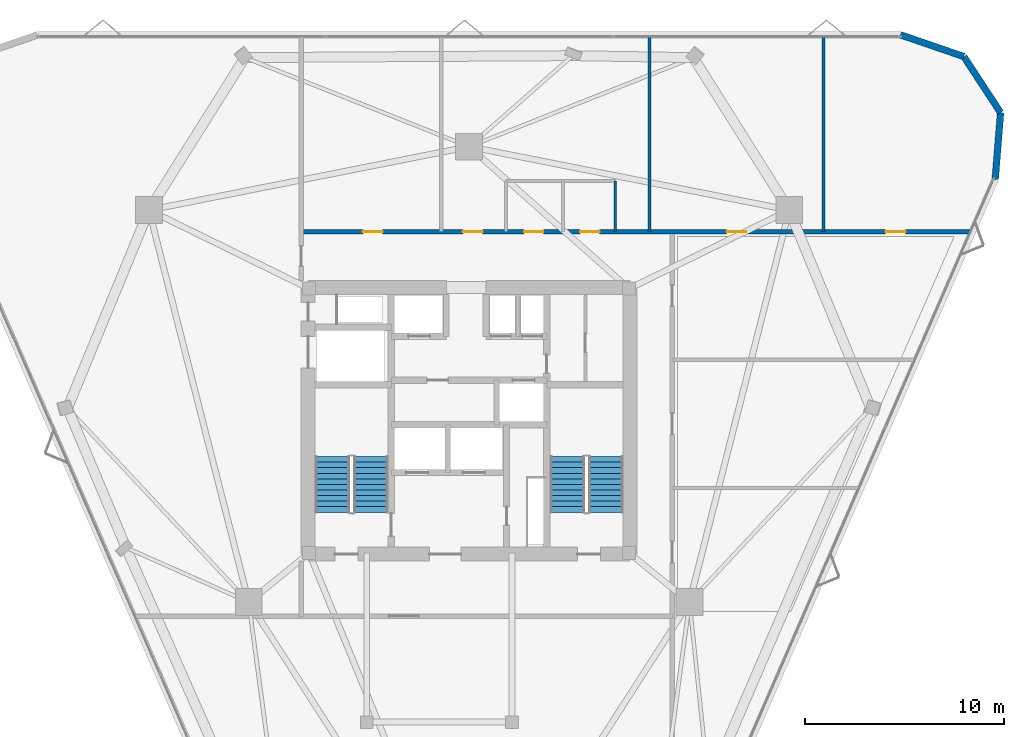
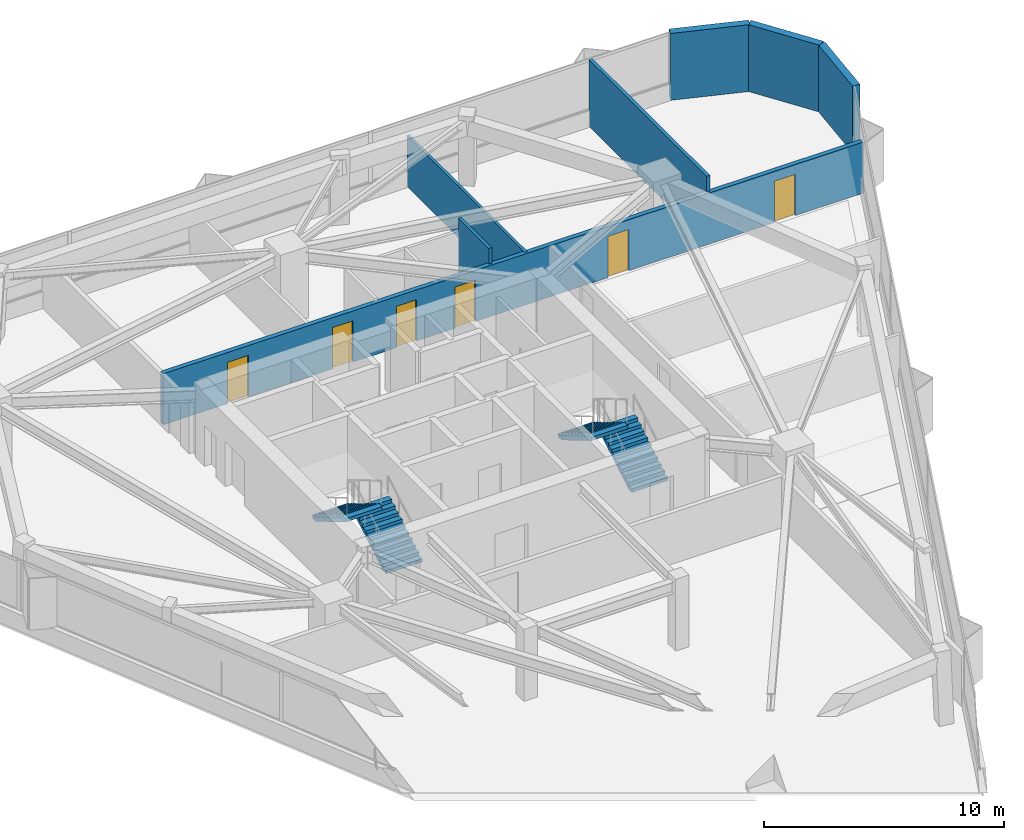
# One storey, part 11 of 12: 7 walls, 6 doors, 4 stair flights, 6 openings, 2 elements without a shape of their own.
"""IFC4 building model written with IfcOpenShell, lengths in metres."""

import ifcopenshell
import ifcopenshell.guid

model = None  # the IFC model being written
_history = None  # IfcOwnerHistory: only IFC2X3 demands one
_inside = {}  # id of a spatial element -> (the spatial element, [elements in it])
_under = {}  # id of a project, library or spatial element -> (it, [spatial elements below it])
_declared = {}  # id of a project -> (the project, [libraries it declares])
_typed = {}  # id of a type object -> (the type object, [elements of that type])
_made_of = {}  # id of a material, layer set ... -> (it, [elements and type objects made of it])


def new_model(schema):
    """Start an empty IFC model of exactly this schema.

    Asked for "IFC4X3", IfcOpenShell would pick the latest addendum, in which some entities
    have other attributes; the version numbers below select the first issue.
    IFC2X3 requires an IfcOwnerHistory on every rooted entity: one is made here for all.
    """
    global model, _history
    if schema == "IFC4X3":
        model = ifcopenshell.file(schema_version=(4, 3, 0, 0))
    else:
        model = ifcopenshell.file(schema=schema)
    _inside.clear()
    _under.clear()
    _declared.clear()
    _typed.clear()
    _made_of.clear()
    _history = None
    if model.schema == "IFC2X3":
        org = make("IfcOrganization", Name="unknown")
        user = make(
            "IfcPersonAndOrganization",
            ThePerson=make("IfcPerson", FamilyName="unknown"),
            TheOrganization=org,
        )
        app = make(
            "IfcApplication",
            ApplicationDeveloper=org,
            Version="unknown",
            ApplicationFullName="unknown",
            ApplicationIdentifier="unknown",
        )
        _history = make(
            "IfcOwnerHistory",
            OwningUser=user,
            OwningApplication=app,
            ChangeAction="ADDED",
            CreationDate=0,
        )
    return model


def make(cls, **values):
    """One entity of the class cls with the attributes given. An attribute that is None is left unset."""
    return model.create_entity(
        cls, **{name: value for name, value in values.items() if value is not None}
    )


def rooted(cls, **values):
    """An entity with a GlobalId (a new one), such as an element, a storey or a relation."""
    return make(cls, GlobalId=ifcopenshell.guid.new(), OwnerHistory=_history, **values)


def si_unit(unit_type, name, prefix=None):
    """IfcSIUnit, for example si_unit("LENGTHUNIT", "METRE", prefix="MILLI")."""
    return make("IfcSIUnit", UnitType=unit_type, Prefix=prefix, Name=name)


def assignment(units):
    """IfcUnitAssignment: the units of a project."""
    return None if units is None else make("IfcUnitAssignment", Units=units)


def point(xyz):
    """IfcCartesianPoint."""
    return None if xyz is None else make("IfcCartesianPoint", Coordinates=xyz)


def direction(xyz):
    """IfcDirection."""
    return None if xyz is None else make("IfcDirection", DirectionRatios=xyz)


def frame(location, z_axis=None, x_axis=None):
    """IfcAxis2Placement3D, a coordinate frame: its origin and axes. An axis left out is left unset."""
    return make(
        "IfcAxis2Placement3D",
        Location=point(location),
        Axis=direction(z_axis),
        RefDirection=direction(x_axis),
    )


def frame_2d(location, x_axis=None):
    """IfcAxis2Placement2D, a coordinate frame in the plane: its origin and x axis."""
    return make(
        "IfcAxis2Placement2D", Location=point(location), RefDirection=direction(x_axis)
    )


def origin():
    """The frame at (0, 0, 0) with its axes left unset."""
    return frame((0.0, 0.0, 0.0))


def place(relative_to, where):
    """IfcLocalPlacement: puts the frame where relative to a parent placement (None: the world)."""
    return make(
        "IfcLocalPlacement", PlacementRelTo=relative_to, RelativePlacement=where
    )


def context(
    kind, dimensions, precision=None, world=None, true_north=None, identifier=None
):
    """IfcGeometricRepresentationContext, for example the 3D "Model" context."""
    return make(
        "IfcGeometricRepresentationContext",
        ContextIdentifier=identifier,
        ContextType=kind,
        CoordinateSpaceDimension=dimensions,
        Precision=precision,
        WorldCoordinateSystem=world,
        TrueNorth=true_north,
    )


def subcontext(parent, identifier, kind, view, scale=None):
    """IfcGeometricRepresentationSubContext, for example "Body" below "Model"."""
    return make(
        "IfcGeometricRepresentationSubContext",
        ContextIdentifier=identifier,
        ContextType=kind,
        ParentContext=parent,
        TargetScale=scale,
        TargetView=view,
    )


def project(units=None, contexts=None):
    """IfcProject with its units and contexts."""
    return rooted(
        "IfcProject",
        Name="project",
        RepresentationContexts=contexts,
        UnitsInContext=assignment(units),
    )


def spatial(cls, under=None, at=None, **own):
    """A site, building, storey or space (cls), placed at a placement, below another one or the project."""
    s = rooted(cls, ObjectPlacement=at, **own)
    if under is not None:
        _under.setdefault(under.id(), (under, []))[1].append(s)
    return s


def polyline(points):
    """IfcPolyline through the points."""
    return make("IfcPolyline", Points=[point(p) for p in points])


def profile(cls, at=None, kind="AREA", **sizes):
    """A parametric profile (cls). Its sizes go by their IFC names, for example OverallWidth=200.0."""
    return make(cls, ProfileType=kind, Position=at, **sizes)


def rectangle(**sizes):
    """IfcRectangleProfileDef."""
    return profile("IfcRectangleProfileDef", **sizes)


def outline(outer, holes=None, kind="AREA"):
    """IfcArbitraryClosedProfileDef: a profile drawn as a closed curve; with holes, ...WithVoids."""
    if holes is None:
        return make("IfcArbitraryClosedProfileDef", ProfileType=kind, OuterCurve=outer)
    return make(
        "IfcArbitraryProfileDefWithVoids",
        ProfileType=kind,
        OuterCurve=outer,
        InnerCurves=holes,
    )


def extrude(swept, where, along, depth):
    """IfcExtrudedAreaSolid: the profile swept, set in the frame where, extruded along a direction by depth."""
    return make(
        "IfcExtrudedAreaSolid",
        SweptArea=swept,
        Position=where,
        ExtrudedDirection=direction(along),
        Depth=depth,
    )


def shape(context_of_items, identifier, shape_type, items):
    """IfcShapeRepresentation: the items that make up one representation, for example the "Body"."""
    return make(
        "IfcShapeRepresentation",
        ContextOfItems=context_of_items,
        RepresentationIdentifier=identifier,
        RepresentationType=shape_type,
        Items=items,
    )


def material(Name=None, Category=None):
    """IfcMaterial."""
    return make("IfcMaterial", Name=Name, Category=Category)


def layer(
    of_material, thickness, ventilated=None, Name=None, Category=None, Priority=None
):
    """IfcMaterialLayer: one layer of a wall or slab, of a material (None: an air gap)."""
    return make(
        "IfcMaterialLayer",
        Material=of_material,
        LayerThickness=thickness,
        IsVentilated=ventilated,
        Name=Name,
        Category=Category,
        Priority=Priority,
    )


def layer_set(layers, Name=None):
    """IfcMaterialLayerSet."""
    return make("IfcMaterialLayerSet", MaterialLayers=layers, LayerSetName=Name)


def made_of(thing, what):
    """Note that an element or type object is made of a material, layer set ...; save() writes the relation."""
    if what is not None:
        _made_of.setdefault(what.id(), (what, []))[1].append(thing)
    return thing


def type_object(cls, material=None, **own):
    """A type object (cls), such as IfcWallType, which elements share."""
    return made_of(rooted(cls, **own), material)


def element(
    cls,
    number,
    at=None,
    inside=None,
    cuts=None,
    type_object=None,
    material=None,
    context=None,
    identifier="Body",
    shape_type=None,
    held_by="IfcProductDefinitionShape",
    body=None,
    shapes=None,
    **own,
):
    """One element of the class cls, such as IfcWall. Its Tag is "e" and its number.

    at: its placement. inside: the storey or other place that contains it. cuts: it is an
    opening in that element (IfcRelVoidsElement). A single representation is given by context,
    identifier, shape_type and body (its items); several are given by shapes. held_by: the class
    of the entity that holds the representations. save() writes the other relations.
    """
    e = rooted(cls, Tag="e%d" % number, ObjectPlacement=at, **own)
    if body is not None:
        shapes = [shape(context, identifier, shape_type, body)]
    if shapes is not None:
        e.Representation = make(held_by, Representations=shapes)
    if inside is not None:
        _inside.setdefault(inside.id(), (inside, []))[1].append(e)
    if cuts is not None:
        rooted(
            "IfcRelVoidsElement", RelatingBuildingElement=cuts, RelatedOpeningElement=e
        )
    if type_object is not None:
        _typed.setdefault(type_object.id(), (type_object, []))[1].append(e)
    return made_of(e, material)


def fill(opening, filler):
    """IfcRelFillsElement: the door or window that sits in an opening."""
    return rooted(
        "IfcRelFillsElement",
        RelatingOpeningElement=opening,
        RelatedBuildingElement=filler,
    )


def aggregate(whole, parts):
    """IfcRelAggregates: a whole, such as a stair, and the parts it consists of."""
    return rooted("IfcRelAggregates", RelatingObject=whole, RelatedObjects=parts)


def save(model, path):
    """Write the relations noted so far, then the file.

    IfcRelAggregates (storeys below a building ...), IfcRelContainedInSpatialStructure (elements
    in a storey), IfcRelDefinesByType, IfcRelAssociatesMaterial and IfcRelDeclares: one each for
    every whole, place, type object, material and project.
    """
    for whole, parts in _under.values():
        aggregate(whole, parts)
    for where, things in _inside.values():
        rooted(
            "IfcRelContainedInSpatialStructure",
            RelatedElements=things,
            RelatingStructure=where,
        )
    for kind, things in _typed.values():
        rooted("IfcRelDefinesByType", RelatedObjects=things, RelatingType=kind)
    for what, things in _made_of.values():
        rooted("IfcRelAssociatesMaterial", RelatedObjects=things, RelatingMaterial=what)
    for by, libraries in _declared.values():
        rooted("IfcRelDeclares", RelatingContext=by, RelatedDefinitions=libraries)
    model.write(path)


model = new_model("IFC4")

# Units and contexts
model_context = context("Model", 3, precision=1e-05, world=origin(), true_north=direction((0.0, 1.0)))
body_context = subcontext(model_context, "Body", "Model", "MODEL_VIEW")
ifc_project = project(units=[si_unit("LENGTHUNIT", "METRE"), si_unit("AREAUNIT", "SQUARE_METRE"), si_unit("VOLUMEUNIT", "CUBIC_METRE"), si_unit("PLANEANGLEUNIT", "RADIAN"), si_unit("MASSUNIT", "GRAM", prefix="KILO")], contexts=[model_context])

# Site, building, storey
site_placement = place(None, origin())
site = spatial("IfcSite", under=ifc_project, at=site_placement, CompositionType="ELEMENT")
building_placement = place(site_placement, origin())
building = spatial("IfcBuilding", under=site, at=building_placement, Name="Talyreon Biosciences Tower", CompositionType="ELEMENT")
storey_placement = place(building_placement, frame((0.0, 0.0, 179.39990234375)))
storey = spatial("IfcBuildingStorey", under=building, at=storey_placement, Name="L47", CompositionType="ELEMENT", Elevation=179.39990234375)

# Wall, openings, doors
ifc_material_1 = material(Name="Gypsum fireboard acoustic stud", Category="gypsum")
ifc_layer_1 = layer(ifc_material_1, 0.219970703125)
ifc_layer_set_1 = layer_set([ifc_layer_1], Name="Gypsum fireboard acoustic stud")
wall_type_1 = type_object("IfcWallType", Name="CorridorRatedPartition_220", PredefinedType="PARTITIONING", material=ifc_layer_set_1)
wall_1_placement = place(storey_placement, frame((57.550048828125, 77.52001953125, 0.0), z_axis=(0.0, 0.0, 1.0), x_axis=(1.0, 0.0, 0.0)))
wall_1 = element("IfcWall", 1, at=wall_1_placement, inside=storey, type_object=wall_type_1, Name="L47 Interior Wall IW-L47-COR-N", PredefinedType="PARTITIONING", context=body_context, shape_type="SweptSolid", body=[
    extrude(rectangle(XDim=33.679443359375, YDim=0.219970703125, at=frame_2d((16.83984375, 0.0))), origin(), (0.0, 0.0, 1.0), 2.60009765625),
])
opening_1_placement = place(wall_1_placement, frame((11.2099609375, 0.0, 0.0)))
opening_1 = element("IfcOpeningElement", 2, at=opening_1_placement, cuts=wall_1, Name="Opening DR-L47-WC", PredefinedType="OPENING", context=body_context, shape_type="SweptSolid", body=[
    extrude(rectangle(XDim=0.97998046875, YDim=2.10009765625, at=frame_2d((0.489990234375, 1.050048828125))), frame((0.0, 0.119873046875, 0.0), z_axis=(0.0, -1.0, 0.0), x_axis=(1.0, 0.0, 0.0)), (0.0, 0.0, 1.0), 0.239990234375),
])
opening_2_placement = place(wall_1_placement, frame((14.034912109375, 0.0, 0.0)))
opening_2 = element("IfcOpeningElement", 3, at=opening_2_placement, cuts=wall_1, Name="Opening DR-L47-AWC", PredefinedType="OPENING", context=body_context, shape_type="SweptSolid", body=[
    extrude(rectangle(XDim=0.97998046875, YDim=2.10009765625, at=frame_2d((0.489990234375, 1.050048828125))), frame((0.0, 0.119873046875, 0.0), z_axis=(0.0, -1.0, 0.0), x_axis=(1.0, 0.0, 0.0)), (0.0, 0.0, 1.0), 0.239990234375),
])
opening_3_placement = place(wall_1_placement, frame((3.10009765625, 0.0, 0.0)))
opening_3 = element("IfcOpeningElement", 4, at=opening_3_placement, cuts=wall_1, Name="Opening DR-L47-N1A", PredefinedType="OPENING", context=body_context, shape_type="SweptSolid", body=[
    extrude(rectangle(XDim=1.0, YDim=2.10009765625, at=frame_2d((0.5, 1.050048828125))), frame((0.0, 0.119873046875, 0.0), z_axis=(0.0, -1.0, 0.0), x_axis=(1.0, 0.0, 0.0)), (0.0, 0.0, 1.0), 0.239990234375),
])
opening_4_placement = place(wall_1_placement, frame((8.135009765625, 0.0, 0.0)))
opening_4 = element("IfcOpeningElement", 5, at=opening_4_placement, cuts=wall_1, Name="Opening DR-L47-N2A", PredefinedType="OPENING", context=body_context, shape_type="SweptSolid", body=[
    extrude(rectangle(XDim=1.0, YDim=2.10009765625, at=frame_2d((0.5, 1.050048828125))), frame((0.0, 0.119873046875, 0.0), z_axis=(0.0, -1.0, 0.0), x_axis=(1.0, 0.0, 0.0)), (0.0, 0.0, 1.0), 0.239990234375),
])
opening_5_placement = place(wall_1_placement, frame((21.40087890625, 0.0, 0.0)))
opening_5 = element("IfcOpeningElement", 6, at=opening_5_placement, cuts=wall_1, Name="Opening DR-L47-N3A", PredefinedType="OPENING", context=body_context, shape_type="SweptSolid", body=[
    extrude(rectangle(XDim=1.0, YDim=2.10009765625, at=frame_2d((0.5, 1.050048828125))), frame((0.0, 0.119873046875, 0.0), z_axis=(0.0, -1.0, 0.0), x_axis=(1.0, 0.0, 0.0)), (0.0, 0.0, 1.0), 0.239990234375),
])
opening_6_placement = place(wall_1_placement, frame((29.405029296875, 0.0, 0.0)))
opening_6 = element("IfcOpeningElement", 7, at=opening_6_placement, cuts=wall_1, Name="Opening DR-L47-N4A", PredefinedType="OPENING", context=body_context, shape_type="SweptSolid", body=[
    extrude(rectangle(XDim=1.0, YDim=2.10009765625, at=frame_2d((0.5, 1.050048828125))), frame((0.0, 0.119873046875, 0.0), z_axis=(0.0, -1.0, 0.0), x_axis=(1.0, 0.0, 0.0)), (0.0, 0.0, 1.0), 0.239990234375),
])
ifc_material_2 = material(Name="Laminate moisture-resistant door", Category="wood")
door_type_1 = type_object("IfcDoorType", Name="AccessibleToiletDoor_980x2100", OperationType="NOTDEFINED", PredefinedType="DOOR", material=ifc_material_2)
door_1_placement = place(opening_1_placement, origin())
door_1 = element("IfcDoor", 8, at=door_1_placement, inside=storey, type_object=door_type_1, Name="L47 Interior Door DR-L47-WC", OperationType="SINGLE_SWING_LEFT", OverallHeight=2.10009765625, OverallWidth=0.97998046875, PredefinedType="DOOR", context=body_context, shape_type="SweptSolid", body=[
    extrude(rectangle(XDim=0.97998046875, YDim=2.10009765625, at=frame_2d((0.489990234375, 1.050048828125))), frame((0.0, 0.02490234375, 0.0), z_axis=(0.0, -1.0, 0.0), x_axis=(1.0, 0.0, 0.0)), (0.0, 0.0, 1.0), 0.050048828125),
])
fill(opening_1, door_1)
door_2_placement = place(opening_2_placement, origin())
door_2 = element("IfcDoor", 9, at=door_2_placement, inside=storey, type_object=door_type_1, Name="L47 Interior Door DR-L47-AWC", OperationType="SINGLE_SWING_LEFT", OverallHeight=2.10009765625, OverallWidth=0.97998046875, PredefinedType="DOOR", context=body_context, shape_type="SweptSolid", body=[
    extrude(rectangle(XDim=0.97998046875, YDim=2.10009765625, at=frame_2d((0.489990234375, 1.050048828125))), frame((0.0, 0.02490234375, 0.0), z_axis=(0.0, -1.0, 0.0), x_axis=(1.0, 0.0, 0.0)), (0.0, 0.0, 1.0), 0.050048828125),
])
fill(opening_2, door_2)
ifc_material_3 = material(Name="Acoustic oak veneer office door", Category="wood")
door_type_2 = type_object("IfcDoorType", Name="WriteupOfficeDoor_1000x2100", OperationType="NOTDEFINED", PredefinedType="DOOR", material=ifc_material_3)
door_3_placement = place(opening_3_placement, origin())
door_3 = element("IfcDoor", 10, at=door_3_placement, inside=storey, type_object=door_type_2, Name="L47 Interior Door DR-L47-N1A", OperationType="SINGLE_SWING_RIGHT", OverallHeight=2.10009765625, OverallWidth=1.0, PredefinedType="DOOR", context=body_context, shape_type="SweptSolid", body=[
    extrude(rectangle(XDim=1.0, YDim=2.10009765625, at=frame_2d((0.5, 1.050048828125))), frame((0.0, 0.02490234375, 0.0), z_axis=(0.0, -1.0, 0.0), x_axis=(1.0, 0.0, 0.0)), (0.0, 0.0, 1.0), 0.050048828125),
])
fill(opening_3, door_3)
door_4_placement = place(opening_4_placement, origin())
door_4 = element("IfcDoor", 11, at=door_4_placement, inside=storey, type_object=door_type_2, Name="L47 Interior Door DR-L47-N2A", OperationType="SINGLE_SWING_LEFT", OverallHeight=2.10009765625, OverallWidth=1.0, PredefinedType="DOOR", context=body_context, shape_type="SweptSolid", body=[
    extrude(rectangle(XDim=1.0, YDim=2.10009765625, at=frame_2d((0.5, 1.050048828125))), frame((0.0, 0.02490234375, 0.0), z_axis=(0.0, -1.0, 0.0), x_axis=(1.0, 0.0, 0.0)), (0.0, 0.0, 1.0), 0.050048828125),
])
fill(opening_4, door_4)
door_5_placement = place(opening_5_placement, origin())
door_5 = element("IfcDoor", 12, at=door_5_placement, inside=storey, type_object=door_type_2, Name="L47 Interior Door DR-L47-N3A", OperationType="SINGLE_SWING_RIGHT", OverallHeight=2.10009765625, OverallWidth=1.0, PredefinedType="DOOR", context=body_context, shape_type="SweptSolid", body=[
    extrude(rectangle(XDim=1.0, YDim=2.10009765625, at=frame_2d((0.5, 1.050048828125))), frame((0.0, 0.02490234375, 0.0), z_axis=(0.0, -1.0, 0.0), x_axis=(1.0, 0.0, 0.0)), (0.0, 0.0, 1.0), 0.050048828125),
])
fill(opening_5, door_5)
door_6_placement = place(opening_6_placement, origin())
door_6 = element("IfcDoor", 13, at=door_6_placement, inside=storey, type_object=door_type_2, Name="L47 Interior Door DR-L47-N4A", OperationType="SINGLE_SWING_RIGHT", OverallHeight=2.10009765625, OverallWidth=1.0, PredefinedType="DOOR", context=body_context, shape_type="SweptSolid", body=[
    extrude(rectangle(XDim=1.0, YDim=2.10009765625, at=frame_2d((0.5, 1.050048828125))), frame((0.0, 0.02490234375, 0.0), z_axis=(0.0, -1.0, 0.0), x_axis=(1.0, 0.0, 0.0)), (0.0, 0.0, 1.0), 0.050048828125),
])
fill(opening_6, door_6)

# Walls
ifc_material_4 = material(Name="Gypsum acoustic stud partition", Category="gypsum")
ifc_layer_2 = layer(ifc_material_4, 0.159912109375)
ifc_layer_set_2 = layer_set([ifc_layer_2], Name="Gypsum acoustic stud partition")
wall_type_2 = type_object("IfcWallType", Name="LabSeparationPartition_160", PredefinedType="PARTITIONING", material=ifc_layer_set_2)
wall_2_placement = place(storey_placement, frame((83.8310546875, 77.52001953125, 0.0), z_axis=(0.0, 0.0, 1.0), x_axis=(0.0, 1.0, 0.0)))
element("IfcWall", 14, at=wall_2_placement, inside=storey, type_object=wall_type_2, Name="L47 Interior Wall IW-L47-NDIV3", PredefinedType="PARTITIONING", context=body_context, shape_type="SweptSolid", body=[
    extrude(rectangle(XDim=9.81396484375, YDim=0.159912109375, at=frame_2d((4.906982421875, 0.0))), origin(), (0.0, 0.0, 1.0), 3.400146484375),
])
ifc_layer_3 = layer(ifc_material_4, 0.1298828125)
ifc_layer_set_3 = layer_set([ifc_layer_3], Name="Gypsum acoustic stud partition")
wall_type_3 = type_object("IfcWallType", Name="OfficeWriteupPartition_130", PredefinedType="PARTITIONING", material=ifc_layer_set_3)
wall_3_placement = place(storey_placement, frame((75.071044921875, 77.52001953125, 0.0), z_axis=(0.0, 0.0, 1.0), x_axis=(0.0, 1.0, 0.0)))
element("IfcWall", 15, at=wall_3_placement, inside=storey, type_object=wall_type_3, Name="L47 Interior Wall IW-L47-NDIV2", PredefinedType="PARTITIONING", context=body_context, shape_type="SweptSolid", body=[
    extrude(rectangle(XDim=9.81396484375, YDim=0.1298828125, at=frame_2d((4.906982421875, 0.0))), origin(), (0.0, 0.0, 1.0), 2.60009765625),
])
ifc_material_5 = material(Name="Precast concrete C45/55", Category="concrete")
ifc_layer_4 = layer(ifc_material_5, 0.340087890625)
ifc_layer_set_4 = layer_set([ifc_layer_4], Name="Precast concrete C45/55")
wall_type_4 = type_object("IfcWallType", Name="PrecastConcreteSpandrelWall_340", PredefinedType="STANDARD", material=ifc_layer_set_4)
wall_4_placement = place(storey_placement, frame((87.6962890625, 87.4189453125, 0.0), z_axis=(0.0, 0.0, 1.0), x_axis=(0.945963079191, -0.324274348056, 0.0)))
element("IfcWall", 16, at=wall_4_placement, inside=storey, type_object=wall_type_4, Name="L47 Rounded-Corner Concrete Pier 05", PredefinedType="STANDARD", context=body_context, shape_type="SweptSolid", body=[
    extrude(rectangle(XDim=3.3720703125, YDim=0.340087890625, at=frame_2d((1.68603515625, 0.0))), origin(), (0.0, 0.0, 1.0), 3.400146484375),
])
for number, where, z_axis, x_axis, name in (
    (17, (90.88623046875, 86.325439453125, 0.0), (0.0, 0.0, 1.0), (0.548117081497, -0.83640161703, 0.0), "L47 Rounded-Corner Concrete Pier 06"),
    (18, (92.734619140625, 83.5048828125, 0.0), (0.0, 0.0, 1.0), (-0.080217124827, -0.996777413912, 0.0), "L47 Rounded-Corner Concrete Pier 07"),
):
    element("IfcWall", number, at=place(storey_placement, frame(where, z_axis=z_axis, x_axis=x_axis)), inside=storey, type_object=wall_type_4, Name=name, PredefinedType="STANDARD", context=body_context, shape_type="SweptSolid", body=[
        extrude(rectangle(XDim=3.372314453125, YDim=0.340087890625, at=frame_2d((1.68603515625, 0.0))), origin(), (0.0, 0.0, 1.0), 3.400146484375),
    ])
ifc_material_6 = material(Name="Moisture-resistant cement-board stud", Category="gypsum")
ifc_layer_5 = layer(ifc_material_6, 0.14501953125)
ifc_layer_set_5 = layer_set([ifc_layer_5], Name="Moisture-resistant cement-board stud")
wall_type_5 = type_object("IfcWallType", Name="WetRoomPartition_145", PredefinedType="PARTITIONING", material=ifc_layer_set_5)
wall_5_placement = place(storey_placement, frame((73.35009765625, 77.52001953125, 0.0), z_axis=(0.0, 0.0, 1.0), x_axis=(0.0, 1.0, 0.0)))
element("IfcWall", 19, at=wall_5_placement, inside=storey, type_object=wall_type_5, Name="L47 Interior Wall IW-L47-WCR", PredefinedType="PARTITIONING", context=body_context, shape_type="SweptSolid", body=[
    extrude(rectangle(XDim=2.550048828125, YDim=0.14501953125, at=frame_2d((1.27490234375, 0.0))), origin(), (0.0, 0.0, 1.0), 3.400146484375),
])

# Stair, stair flights
ifc_material_7 = material(Name="Concrete C40/50", Category="concrete")
stair_type = type_object("IfcStairType", Name="DoglegEscapeStair_3650", PredefinedType="HALF_TURN_STAIR", material=ifc_material_7)
stair_1_placement = place(storey_placement, origin())
stair_1 = element("IfcStair", 20, at=stair_1_placement, inside=storey, type_object=stair_type, Name="L47 Core Escape Stair 1", PredefinedType="HALF_TURN_STAIR")
stair_flight_type = type_object("IfcStairFlightType", Name="PrecastStairFlight_3650", PredefinedType="STRAIGHT", material=ifc_material_7)
stair_flight_1_placement = place(storey_placement, frame((61.06005859375, 63.39990234375, 0.0), z_axis=(0.0, 0.0, 1.0), x_axis=(0.0, 1.0, 0.0)))
stair_flight_1 = element("IfcStairFlight", 21, at=stair_flight_1_placement, type_object=stair_flight_type, Name="ST-1 flight 1", NumberOfRisers=11, NumberOfTreads=10, PredefinedType="STRAIGHT", RiserHeight=0.165909091, TreadLength=0.28, context=body_context, shape_type="SweptSolid", body=[
    extrude(outline(polyline([(0.0, 0.0), (0.0, 0.166015625), (0.280029296875, 0.166015625), (0.280029296875, 0.331787109375), (0.56005859375, 0.331787109375), (0.56005859375, 0.497802734375), (0.840087890625, 0.497802734375), (0.840087890625, 0.66357421875), (1.1201171875, 0.66357421875), (1.1201171875, 0.82958984375), (1.39990234375, 0.82958984375), (1.39990234375, 0.995361328125), (1.679931640625, 0.995361328125), (1.679931640625, 1.161376953125), (1.9599609375, 1.161376953125), (1.9599609375, 1.327392578125), (2.239990234375, 1.327392578125), (2.239990234375, 1.4931640625), (2.52001953125, 1.4931640625), (2.52001953125, 1.6591796875), (2.800048828125, 1.6591796875), (2.800048828125, 1.824951171875), (2.800048828125, 1.48486328125), (0.2939453125, 0.0), (0.0, 0.0)])), frame((0.0, 0.8701171875, 0.0), z_axis=(0.0, -1.0, 0.0), x_axis=(1.0, 0.0, 0.0)), (0.0, 0.0, 1.0), 1.739990234375),
])
stair_flight_2_placement = place(storey_placement, frame((59.1201171875, 66.199951171875, 1.8251953125), z_axis=(0.0, 0.0, 1.0), x_axis=(0.0, -1.0, 0.0)))
stair_flight_2 = element("IfcStairFlight", 22, at=stair_flight_2_placement, type_object=stair_flight_type, Name="ST-1 flight 2", NumberOfRisers=11, NumberOfTreads=10, PredefinedType="STRAIGHT", RiserHeight=0.165909091, TreadLength=0.28, context=body_context, shape_type="SweptSolid", body=[
    extrude(outline(polyline([(0.0, 0.0), (0.0, 0.166015625), (0.280029296875, 0.166015625), (0.280029296875, 0.331787109375), (0.56005859375, 0.331787109375), (0.56005859375, 0.497802734375), (0.840087890625, 0.497802734375), (0.840087890625, 0.66357421875), (1.1201171875, 0.66357421875), (1.1201171875, 0.82958984375), (1.39990234375, 0.82958984375), (1.39990234375, 0.995361328125), (1.679931640625, 0.995361328125), (1.679931640625, 1.161376953125), (1.9599609375, 1.161376953125), (1.9599609375, 1.327392578125), (2.239990234375, 1.327392578125), (2.239990234375, 1.4931640625), (2.52001953125, 1.4931640625), (2.52001953125, 1.6591796875), (2.800048828125, 1.6591796875), (2.800048828125, 1.824951171875), (2.800048828125, 1.48486328125), (0.2939453125, 0.0), (0.0, 0.0)])), frame((0.0, 0.8701171875, 0.0), z_axis=(0.0, -1.0, 0.0), x_axis=(1.0, 0.0, 0.0)), (0.0, 0.0, 1.0), 1.739990234375),
])
aggregate(stair_1, [stair_flight_1, stair_flight_2])

stair_2_placement = place(storey_placement, origin())
stair_2 = element("IfcStair", 23, at=stair_2_placement, inside=storey, type_object=stair_type, Name="L47 Core Escape Stair 2", PredefinedType="HALF_TURN_STAIR")
stair_flight_3_placement = place(storey_placement, frame((72.8798828125, 63.39990234375, 0.0), z_axis=(0.0, 0.0, 1.0), x_axis=(0.0, 1.0, 0.0)))
stair_flight_3 = element("IfcStairFlight", 24, at=stair_flight_3_placement, type_object=stair_flight_type, Name="ST-2 flight 1", NumberOfRisers=11, NumberOfTreads=10, PredefinedType="STRAIGHT", RiserHeight=0.165909091, TreadLength=0.28, context=body_context, shape_type="SweptSolid", body=[
    extrude(outline(polyline([(0.0, 0.0), (0.0, 0.166015625), (0.280029296875, 0.166015625), (0.280029296875, 0.331787109375), (0.56005859375, 0.331787109375), (0.56005859375, 0.497802734375), (0.840087890625, 0.497802734375), (0.840087890625, 0.66357421875), (1.1201171875, 0.66357421875), (1.1201171875, 0.82958984375), (1.39990234375, 0.82958984375), (1.39990234375, 0.995361328125), (1.679931640625, 0.995361328125), (1.679931640625, 1.161376953125), (1.9599609375, 1.161376953125), (1.9599609375, 1.327392578125), (2.239990234375, 1.327392578125), (2.239990234375, 1.4931640625), (2.52001953125, 1.4931640625), (2.52001953125, 1.6591796875), (2.800048828125, 1.6591796875), (2.800048828125, 1.824951171875), (2.800048828125, 1.48486328125), (0.2939453125, 0.0), (0.0, 0.0)])), frame((0.0, 0.8701171875, 0.0), z_axis=(0.0, -1.0, 0.0), x_axis=(1.0, 0.0, 0.0)), (0.0, 0.0, 1.0), 1.739990234375),
])
stair_flight_4_placement = place(storey_placement, frame((70.93994140625, 66.199951171875, 1.8251953125), z_axis=(0.0, 0.0, 1.0), x_axis=(0.0, -1.0, 0.0)))
stair_flight_4 = element("IfcStairFlight", 25, at=stair_flight_4_placement, type_object=stair_flight_type, Name="ST-2 flight 2", NumberOfRisers=11, NumberOfTreads=10, PredefinedType="STRAIGHT", RiserHeight=0.165909091, TreadLength=0.28, context=body_context, shape_type="SweptSolid", body=[
    extrude(outline(polyline([(0.0, 0.0), (0.0, 0.166015625), (0.280029296875, 0.166015625), (0.280029296875, 0.331787109375), (0.56005859375, 0.331787109375), (0.56005859375, 0.497802734375), (0.840087890625, 0.497802734375), (0.840087890625, 0.66357421875), (1.1201171875, 0.66357421875), (1.1201171875, 0.82958984375), (1.39990234375, 0.82958984375), (1.39990234375, 0.995361328125), (1.679931640625, 0.995361328125), (1.679931640625, 1.161376953125), (1.9599609375, 1.161376953125), (1.9599609375, 1.327392578125), (2.239990234375, 1.327392578125), (2.239990234375, 1.4931640625), (2.52001953125, 1.4931640625), (2.52001953125, 1.6591796875), (2.800048828125, 1.6591796875), (2.800048828125, 1.824951171875), (2.800048828125, 1.48486328125), (0.2939453125, 0.0), (0.0, 0.0)])), frame((0.0, 0.8701171875, 0.0), z_axis=(0.0, -1.0, 0.0), x_axis=(1.0, 0.0, 0.0)), (0.0, 0.0, 1.0), 1.739990234375),
])
aggregate(stair_2, [stair_flight_3, stair_flight_4])

save(model, "model.ifc")
